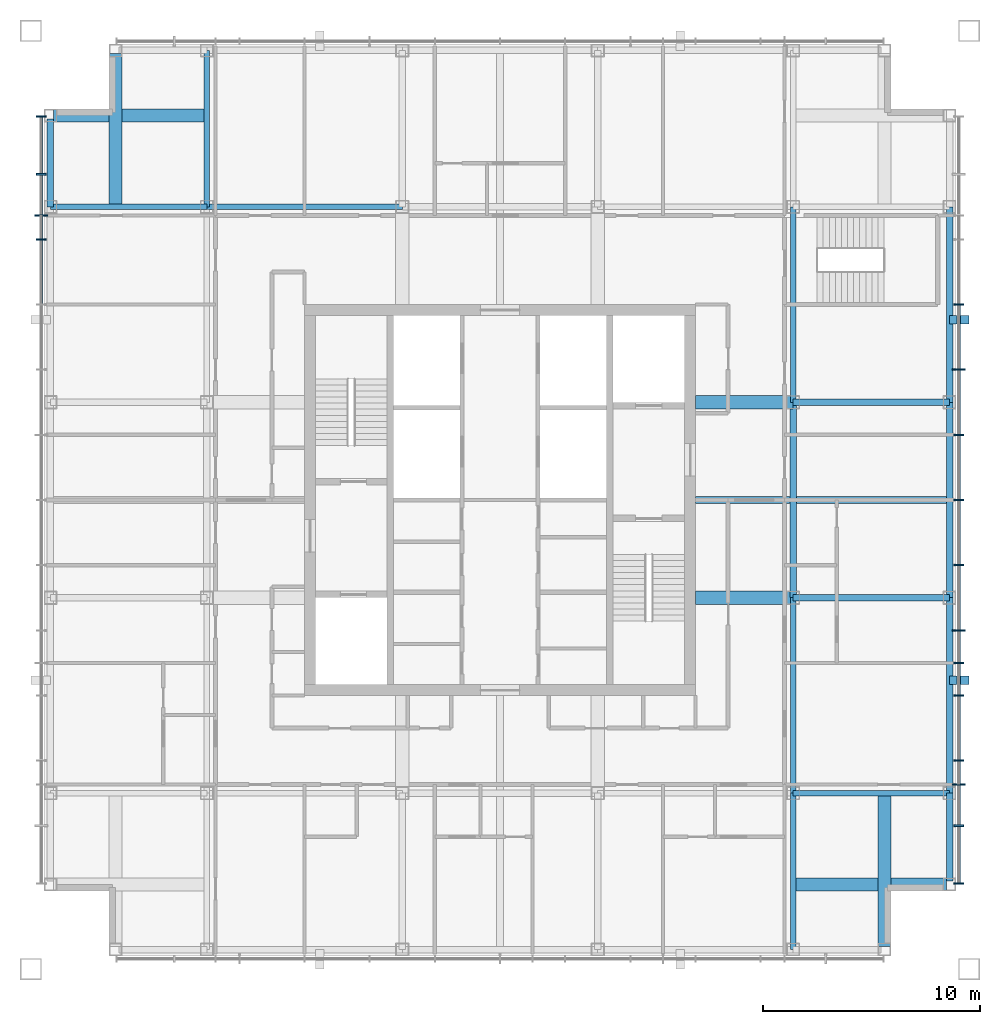
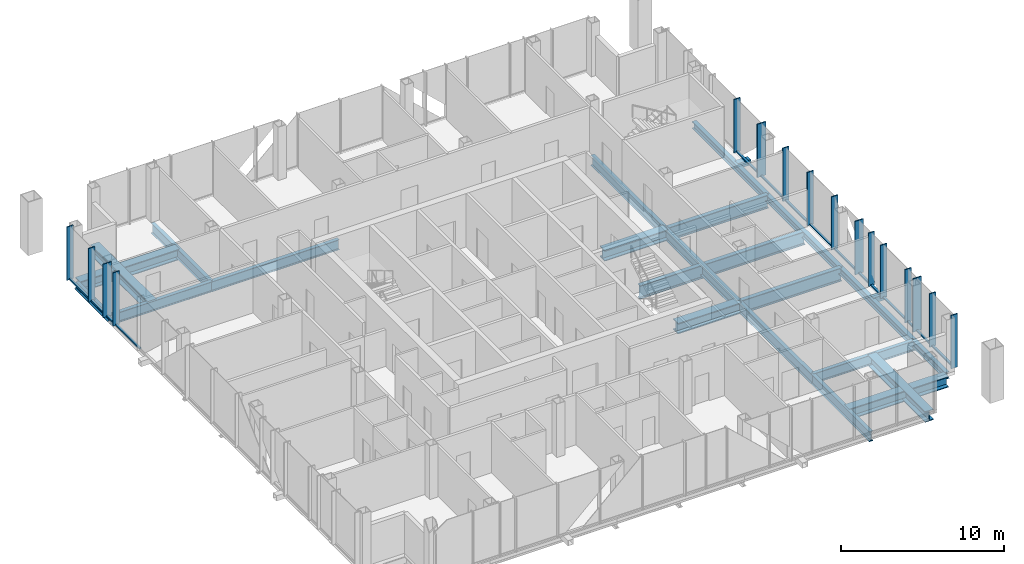
# One storey, part 4 of 12: 33 members, 22 beams, 2 elements without a shape of their own.
"""IFC4 building model written with IfcOpenShell, lengths in metres."""

from ifc_helpers import new_model, si_unit, direction, frame, origin, origin_2d, place, context, subcontext, project, spatial, rectangle, hollow_rectangle, i_section, extrude, material, layer, layer_set, material_profile, profile_set, type_object, element, aggregate, save


model = new_model("IFC4")

# Units and contexts
model_context = context("Model", 3, precision=1e-05, world=origin(), true_north=direction((0.0, 1.0)))
body_context = subcontext(model_context, "Body", "Model", "MODEL_VIEW")
ifc_project = project(units=[si_unit("LENGTHUNIT", "METRE"), si_unit("AREAUNIT", "SQUARE_METRE"), si_unit("VOLUMEUNIT", "CUBIC_METRE"), si_unit("PLANEANGLEUNIT", "RADIAN"), si_unit("MASSUNIT", "GRAM", prefix="KILO")], contexts=[model_context])

# Site, building, storey
site_placement = place(None, origin())
site = spatial("IfcSite", under=ifc_project, at=site_placement, CompositionType="ELEMENT")
building_placement = place(site_placement, origin())
building = spatial("IfcBuilding", under=site, at=building_placement, Name="Malebo Sky Hospital", CompositionType="ELEMENT")
storey_placement = place(building_placement, frame((0.0, 0.0, 262.0)))
storey = spatial("IfcBuildingStorey", under=building, at=storey_placement, Name="L63", CompositionType="ELEMENT", Elevation=262.0)

# Curtain wall, members
ifc_material_1 = material(Name="Anodised aluminium, natural silver", Category="aluminium")
ifc_layer = layer(ifc_material_1, 0.25)
ifc_layer_set = layer_set([ifc_layer], Name="WARD CURTAIN WALL EAST AND WEST")
curtain_wall_type = type_object("IfcCurtainWallType", Name="WARD CURTAIN WALL EAST AND WEST", PredefinedType="NOTDEFINED", material=ifc_layer_set)
curtain_wall_1_placement = place(storey_placement, origin())
curtain_wall_1 = element("IfcCurtainWall", 1, at=curtain_wall_1_placement, inside=storey, type_object=curtain_wall_type, Name="EW curtain wall W", PredefinedType="NOTDEFINED")
ifc_material_profile_1 = material_profile(ifc_material_1, rectangle(XDim=0.14990234375, YDim=0.10009765625, at=origin_2d()), Name="ALUMINIUM TRANSOM 150x100")
ifc_profile_set_1 = profile_set([ifc_material_profile_1], Name="Anodised aluminium, natural silver")
member_type_1 = type_object("IfcMemberType", Name="ALUMINIUM TRANSOM 150x100", PredefinedType="USERDEFINED", material=ifc_profile_set_1)
member_1_placement = place(storey_placement, frame((38.875, 71.03759765625, 0.050048828125), z_axis=(0.0, 1.0, 0.0), x_axis=(-1.0, 0.0, 0.0)))
member_1 = element("IfcMember", 2, at=member_1_placement, type_object=member_type_1, Name="Transom 12", ObjectType="TRANSOM", PredefinedType="USERDEFINED", context=body_context, shape_type="SweptSolid", body=[
    extrude(rectangle(XDim=0.14990234375, YDim=0.10009765625, at=origin_2d()), origin(), (0.0, 0.0, 1.0), 2.9248046875),
])
member_2_placement = place(storey_placement, frame((38.875, 74.03759765625, 0.050048828125), z_axis=(0.0, 1.0, 0.0), x_axis=(-1.0, 0.0, 0.0)))
member_2 = element("IfcMember", 3, at=member_2_placement, type_object=member_type_1, Name="Transom 13", ObjectType="TRANSOM", PredefinedType="USERDEFINED", context=body_context, shape_type="SweptSolid", body=[
    extrude(rectangle(XDim=0.14990234375, YDim=0.10009765625, at=origin_2d()), origin(), (0.0, 0.0, 1.0), 1.02490234375),
])
member_3_placement = place(storey_placement, frame((38.875, 75.137451171875, 0.050048828125), z_axis=(0.0, 1.0, 0.0), x_axis=(-1.0, 0.0, 0.0)))
member_3 = element("IfcMember", 4, at=member_3_placement, type_object=member_type_1, Name="Transom 14", ObjectType="TRANSOM", PredefinedType="USERDEFINED", context=body_context, shape_type="SweptSolid", body=[
    extrude(rectangle(XDim=0.14990234375, YDim=0.10009765625, at=origin_2d()), origin(), (0.0, 0.0, 1.0), 1.824951171875),
])
member_4_placement = place(storey_placement, frame((38.875, 77.03759765625, 0.050048828125), z_axis=(0.0, 1.0, 0.0), x_axis=(-1.0, 0.0, 0.0)))
member_4 = element("IfcMember", 5, at=member_4_placement, type_object=member_type_1, Name="Transom 15", ObjectType="TRANSOM", PredefinedType="USERDEFINED", context=body_context, shape_type="SweptSolid", body=[
    extrude(rectangle(XDim=0.14990234375, YDim=0.10009765625, at=origin_2d()), origin(), (0.0, 0.0, 1.0), 2.58740234375),
])

curtain_wall_2_placement = place(storey_placement, origin())
curtain_wall_2 = element("IfcCurtainWall", 6, at=curtain_wall_2_placement, inside=storey, type_object=curtain_wall_type, Name="EW curtain wall E", PredefinedType="NOTDEFINED")
member_5_placement = place(storey_placement, frame((81.125, 70.96240234375, 0.050048828125), z_axis=(0.0, -1.0, 0.0), x_axis=(1.0, 0.0, 0.0)))
member_5 = element("IfcMember", 7, at=member_5_placement, type_object=member_type_1, Name="Transom 5", ObjectType="TRANSOM", PredefinedType="USERDEFINED", context=body_context, shape_type="SweptSolid", body=[
    extrude(rectangle(XDim=0.14990234375, YDim=0.10009765625, at=origin_2d()), origin(), (0.0, 0.0, 1.0), 2.9248046875),
])
member_6_placement = place(storey_placement, frame((81.125, 67.96240234375, 0.050048828125), z_axis=(0.0, -1.0, 0.0), x_axis=(1.0, 0.0, 0.0)))
member_6 = element("IfcMember", 8, at=member_6_placement, type_object=member_type_1, Name="Transom 6", ObjectType="TRANSOM", PredefinedType="USERDEFINED", context=body_context, shape_type="SweptSolid", body=[
    extrude(rectangle(XDim=0.14990234375, YDim=0.10009765625, at=origin_2d()), origin(), (0.0, 0.0, 1.0), 2.9248046875),
])
member_7_placement = place(storey_placement, frame((81.125, 64.96240234375, 0.050048828125), z_axis=(0.0, -1.0, 0.0), x_axis=(1.0, 0.0, 0.0)))
member_7 = element("IfcMember", 9, at=member_7_placement, type_object=member_type_1, Name="Transom 7", ObjectType="TRANSOM", PredefinedType="USERDEFINED", context=body_context, shape_type="SweptSolid", body=[
    extrude(rectangle(XDim=0.14990234375, YDim=0.10009765625, at=origin_2d()), origin(), (0.0, 0.0, 1.0), 2.9248046875),
])
member_8_placement = place(storey_placement, frame((81.125, 61.96240234375, 0.050048828125), z_axis=(0.0, -1.0, 0.0), x_axis=(1.0, 0.0, 0.0)))
member_8 = element("IfcMember", 10, at=member_8_placement, type_object=member_type_1, Name="Transom 8", ObjectType="TRANSOM", PredefinedType="USERDEFINED", context=body_context, shape_type="SweptSolid", body=[
    extrude(rectangle(XDim=0.14990234375, YDim=0.10009765625, at=origin_2d()), origin(), (0.0, 0.0, 1.0), 2.9248046875),
])
member_9_placement = place(storey_placement, frame((81.125, 58.96240234375, 0.050048828125), z_axis=(0.0, -1.0, 0.0), x_axis=(1.0, 0.0, 0.0)))
member_9 = element("IfcMember", 11, at=member_9_placement, type_object=member_type_1, Name="Transom 9", ObjectType="TRANSOM", PredefinedType="USERDEFINED", context=body_context, shape_type="SweptSolid", body=[
    extrude(rectangle(XDim=0.14990234375, YDim=0.10009765625, at=origin_2d()), origin(), (0.0, 0.0, 1.0), 2.9248046875),
])
member_10_placement = place(storey_placement, frame((81.125, 55.96240234375, 0.050048828125), z_axis=(0.0, -1.0, 0.0), x_axis=(1.0, 0.0, 0.0)))
member_10 = element("IfcMember", 12, at=member_10_placement, type_object=member_type_1, Name="Transom 10", ObjectType="TRANSOM", PredefinedType="USERDEFINED", context=body_context, shape_type="SweptSolid", body=[
    extrude(rectangle(XDim=0.14990234375, YDim=0.10009765625, at=origin_2d()), origin(), (0.0, 0.0, 1.0), 1.4248046875),
])
member_11_placement = place(storey_placement, frame((81.125, 54.46240234375, 0.050048828125), z_axis=(0.0, -1.0, 0.0), x_axis=(1.0, 0.0, 0.0)))
member_11 = element("IfcMember", 13, at=member_11_placement, type_object=member_type_1, Name="Transom 11", ObjectType="TRANSOM", PredefinedType="USERDEFINED", context=body_context, shape_type="SweptSolid", body=[
    extrude(rectangle(XDim=0.14990234375, YDim=0.10009765625, at=origin_2d()), origin(), (0.0, 0.0, 1.0), 1.4248046875),
])
member_12_placement = place(storey_placement, frame((81.125, 52.96240234375, 0.050048828125), z_axis=(0.0, -1.0, 0.0), x_axis=(1.0, 0.0, 0.0)))
member_12 = element("IfcMember", 14, at=member_12_placement, type_object=member_type_1, Name="Transom 12", ObjectType="TRANSOM", PredefinedType="USERDEFINED", context=body_context, shape_type="SweptSolid", body=[
    extrude(rectangle(XDim=0.14990234375, YDim=0.10009765625, at=origin_2d()), origin(), (0.0, 0.0, 1.0), 2.9248046875),
])
member_13_placement = place(storey_placement, frame((81.125, 49.96240234375, 0.050048828125), z_axis=(0.0, -1.0, 0.0), x_axis=(1.0, 0.0, 0.0)))
member_13 = element("IfcMember", 15, at=member_13_placement, type_object=member_type_1, Name="Transom 13", ObjectType="TRANSOM", PredefinedType="USERDEFINED", context=body_context, shape_type="SweptSolid", body=[
    extrude(rectangle(XDim=0.14990234375, YDim=0.10009765625, at=origin_2d()), origin(), (0.0, 0.0, 1.0), 1.02490234375),
])
member_14_placement = place(storey_placement, frame((81.125, 48.862548828125, 0.050048828125), z_axis=(0.0, -1.0, 0.0), x_axis=(1.0, 0.0, 0.0)))
member_14 = element("IfcMember", 16, at=member_14_placement, type_object=member_type_1, Name="Transom 14", ObjectType="TRANSOM", PredefinedType="USERDEFINED", context=body_context, shape_type="SweptSolid", body=[
    extrude(rectangle(XDim=0.14990234375, YDim=0.10009765625, at=origin_2d()), origin(), (0.0, 0.0, 1.0), 1.824951171875),
])
member_15_placement = place(storey_placement, frame((81.125, 46.96240234375, 0.050048828125), z_axis=(0.0, -1.0, 0.0), x_axis=(1.0, 0.0, 0.0)))
member_15 = element("IfcMember", 17, at=member_15_placement, type_object=member_type_1, Name="Transom 15", ObjectType="TRANSOM", PredefinedType="USERDEFINED", context=body_context, shape_type="SweptSolid", body=[
    extrude(rectangle(XDim=0.14990234375, YDim=0.10009765625, at=origin_2d()), origin(), (0.0, 0.0, 1.0), 2.58740234375),
])

# Members
ifc_material_2 = material(Name="Steel S355", Category="steel")
ifc_material_profile_2 = material_profile(ifc_material_2, hollow_rectangle(XDim=0.39990234375, YDim=0.39990234375, WallThickness=0.02001953125, at=origin_2d()), Name="SHS 400x20")
ifc_profile_set_2 = profile_set([ifc_material_profile_2], Name="Steel S355")
member_type_2 = type_object("IfcMemberType", Name="BRACE STRUT SHS 400x20", PredefinedType="STRUT", material=ifc_profile_set_2)
for number, where, z_axis, x_axis, name in (
    (18, (81.60009765625, 53.696533203125, -0.39990234375), (-1.0, 0.0, 0.0), (0.0, -1.0, 0.0), "Brace strut DE1 L63"),
    (19, (81.60009765625, 70.303466796875, -0.39990234375), (-1.0, 0.0, 0.0), (0.0, -1.0, 0.0), "Brace strut DE2 L63"),
):
    element("IfcMember", number, at=place(storey_placement, frame(where, z_axis=z_axis, x_axis=x_axis)), inside=storey, type_object=member_type_2, Name=name, PredefinedType="STRUT", context=body_context, shape_type="SweptSolid", body=[
        extrude(hollow_rectangle(XDim=0.39990234375, YDim=0.39990234375, WallThickness=0.02001953125, at=origin_2d()), origin(), (0.0, 0.0, 1.0), 0.900146484375),
    ])

# Member
ifc_material_profile_3 = material_profile(ifc_material_1, rectangle(XDim=0.074951171875, YDim=0.449951171875, at=origin_2d()), Name="CW2 ALUMINIUM FIN MULLION 75x450")
ifc_profile_set_3 = profile_set([ifc_material_profile_3], Name="Anodised aluminium, natural silver")
member_type_3 = type_object("IfcMemberType", Name="CW2 ALUMINIUM FIN MULLION 75x450", PredefinedType="MULLION", material=ifc_profile_set_3)
member_16_placement = place(storey_placement, frame((38.875, 74.0, 0.0), z_axis=(0.0, 0.0, 1.0), x_axis=(0.0, 1.0, 0.0)))
member_16 = element("IfcMember", 20, at=member_16_placement, type_object=member_type_3, Name="Fin mullion 13", PredefinedType="MULLION", context=body_context, shape_type="SweptSolid", body=[
    extrude(rectangle(XDim=0.074951171875, YDim=0.449951171875, at=origin_2d()), origin(), (0.0, 0.0, 1.0), 4.0),
])

member_17_placement = place(storey_placement, frame((38.875, 77.0, 0.0), z_axis=(0.0, 0.0, 1.0), x_axis=(0.0, 1.0, 0.0)))
member_17 = element("IfcMember", 21, at=member_17_placement, type_object=member_type_3, Name="Fin mullion 15", PredefinedType="MULLION", context=body_context, shape_type="SweptSolid", body=[
    extrude(rectangle(XDim=0.074951171875, YDim=0.449951171875, at=origin_2d()), origin(), (0.0, 0.0, 1.0), 4.0),
])

member_18_placement = place(storey_placement, frame((38.875, 79.66259765625, 0.0), z_axis=(0.0, 0.0, 1.0), x_axis=(0.0, 1.0, 0.0)))
member_18 = element("IfcMember", 22, at=member_18_placement, type_object=member_type_3, Name="Fin mullion 16", PredefinedType="MULLION", context=body_context, shape_type="SweptSolid", body=[
    extrude(rectangle(XDim=0.074951171875, YDim=0.449951171875, at=origin_2d()), origin(), (0.0, 0.0, 1.0), 4.0),
])

member_19_placement = place(storey_placement, frame((81.125, 71.0, 0.0), z_axis=(0.0, 0.0, 1.0), x_axis=(0.0, -1.0, 0.0)))
member_19 = element("IfcMember", 23, at=member_19_placement, type_object=member_type_3, Name="Fin mullion 5", PredefinedType="MULLION", context=body_context, shape_type="SweptSolid", body=[
    extrude(rectangle(XDim=0.074951171875, YDim=0.449951171875, at=origin_2d()), origin(), (0.0, 0.0, 1.0), 4.0),
])

member_20_placement = place(storey_placement, frame((81.125, 65.0, 0.0), z_axis=(0.0, 0.0, 1.0), x_axis=(0.0, -1.0, 0.0)))
member_20 = element("IfcMember", 24, at=member_20_placement, type_object=member_type_3, Name="Fin mullion 7", PredefinedType="MULLION", context=body_context, shape_type="SweptSolid", body=[
    extrude(rectangle(XDim=0.074951171875, YDim=0.449951171875, at=origin_2d()), origin(), (0.0, 0.0, 1.0), 4.0),
])

member_21_placement = place(storey_placement, frame((81.125, 62.0, 0.0), z_axis=(0.0, 0.0, 1.0), x_axis=(0.0, -1.0, 0.0)))
member_21 = element("IfcMember", 25, at=member_21_placement, type_object=member_type_3, Name="Fin mullion 8", PredefinedType="MULLION", context=body_context, shape_type="SweptSolid", body=[
    extrude(rectangle(XDim=0.074951171875, YDim=0.449951171875, at=origin_2d()), origin(), (0.0, 0.0, 1.0), 4.0),
])

member_22_placement = place(storey_placement, frame((81.125, 59.0, 0.0), z_axis=(0.0, 0.0, 1.0), x_axis=(0.0, -1.0, 0.0)))
member_22 = element("IfcMember", 26, at=member_22_placement, type_object=member_type_3, Name="Fin mullion 9", PredefinedType="MULLION", context=body_context, shape_type="SweptSolid", body=[
    extrude(rectangle(XDim=0.074951171875, YDim=0.449951171875, at=origin_2d()), origin(), (0.0, 0.0, 1.0), 4.0),
])

member_23_placement = place(storey_placement, frame((81.125, 54.5, 0.0), z_axis=(0.0, 0.0, 1.0), x_axis=(0.0, -1.0, 0.0)))
member_23 = element("IfcMember", 27, at=member_23_placement, type_object=member_type_3, Name="Fin mullion 11", PredefinedType="MULLION", context=body_context, shape_type="SweptSolid", body=[
    extrude(rectangle(XDim=0.074951171875, YDim=0.449951171875, at=origin_2d()), origin(), (0.0, 0.0, 1.0), 4.0),
])

member_24_placement = place(storey_placement, frame((81.125, 53.0, 0.0), z_axis=(0.0, 0.0, 1.0), x_axis=(0.0, -1.0, 0.0)))
member_24 = element("IfcMember", 28, at=member_24_placement, type_object=member_type_3, Name="Fin mullion 12", PredefinedType="MULLION", context=body_context, shape_type="SweptSolid", body=[
    extrude(rectangle(XDim=0.074951171875, YDim=0.449951171875, at=origin_2d()), origin(), (0.0, 0.0, 1.0), 4.0),
])

member_25_placement = place(storey_placement, frame((81.125, 50.0, 0.0), z_axis=(0.0, 0.0, 1.0), x_axis=(0.0, -1.0, 0.0)))
member_25 = element("IfcMember", 29, at=member_25_placement, type_object=member_type_3, Name="Fin mullion 13", PredefinedType="MULLION", context=body_context, shape_type="SweptSolid", body=[
    extrude(rectangle(XDim=0.074951171875, YDim=0.449951171875, at=origin_2d()), origin(), (0.0, 0.0, 1.0), 4.0),
])

member_26_placement = place(storey_placement, frame((81.125, 47.0, 0.0), z_axis=(0.0, 0.0, 1.0), x_axis=(0.0, -1.0, 0.0)))
member_26 = element("IfcMember", 30, at=member_26_placement, type_object=member_type_3, Name="Fin mullion 15", PredefinedType="MULLION", context=body_context, shape_type="SweptSolid", body=[
    extrude(rectangle(XDim=0.074951171875, YDim=0.449951171875, at=origin_2d()), origin(), (0.0, 0.0, 1.0), 4.0),
])

member_27_placement = place(storey_placement, frame((81.125, 44.33740234375, 0.0), z_axis=(0.0, 0.0, 1.0), x_axis=(0.0, -1.0, 0.0)))
member_27 = element("IfcMember", 31, at=member_27_placement, type_object=member_type_3, Name="Fin mullion 16", PredefinedType="MULLION", context=body_context, shape_type="SweptSolid", body=[
    extrude(rectangle(XDim=0.074951171875, YDim=0.449951171875, at=origin_2d()), origin(), (0.0, 0.0, 1.0), 4.0),
])

ifc_material_profile_4 = material_profile(ifc_material_1, rectangle(XDim=0.074951171875, YDim=0.60009765625, at=origin_2d()), Name="CW2 ALUMINIUM FIN MULLION 75x600")
ifc_profile_set_4 = profile_set([ifc_material_profile_4], Name="Anodised aluminium, natural silver")
member_type_4 = type_object("IfcMemberType", Name="CW2 ALUMINIUM FIN MULLION 75x600", PredefinedType="MULLION", material=ifc_profile_set_4)
member_28_placement = place(storey_placement, frame((38.875, 75.10009765625, 0.0), z_axis=(0.0, 0.0, 1.0), x_axis=(0.0, 1.0, 0.0)))
member_28 = element("IfcMember", 32, at=member_28_placement, type_object=member_type_4, Name="Fin mullion 14", PredefinedType="MULLION", context=body_context, shape_type="SweptSolid", body=[
    extrude(rectangle(XDim=0.074951171875, YDim=0.60009765625, at=origin_2d()), origin(), (0.0, 0.0, 1.0), 4.0),
])

aggregate(curtain_wall_1, [member_16, member_28, member_17, member_18, member_1, member_2, member_3, member_4])

member_29_placement = place(storey_placement, frame((81.125, 68.0, 0.0), z_axis=(0.0, 0.0, 1.0), x_axis=(0.0, -1.0, 0.0)))
member_29 = element("IfcMember", 33, at=member_29_placement, type_object=member_type_4, Name="Fin mullion 6", PredefinedType="MULLION", context=body_context, shape_type="SweptSolid", body=[
    extrude(rectangle(XDim=0.074951171875, YDim=0.60009765625, at=origin_2d()), origin(), (0.0, 0.0, 1.0), 4.0),
])

member_30_placement = place(storey_placement, frame((81.125, 56.0, 0.0), z_axis=(0.0, 0.0, 1.0), x_axis=(0.0, -1.0, 0.0)))
member_30 = element("IfcMember", 34, at=member_30_placement, type_object=member_type_4, Name="Fin mullion 10", PredefinedType="MULLION", context=body_context, shape_type="SweptSolid", body=[
    extrude(rectangle(XDim=0.074951171875, YDim=0.60009765625, at=origin_2d()), origin(), (0.0, 0.0, 1.0), 4.0),
])

member_31_placement = place(storey_placement, frame((81.125, 48.89990234375, 0.0), z_axis=(0.0, 0.0, 1.0), x_axis=(0.0, -1.0, 0.0)))
member_31 = element("IfcMember", 35, at=member_31_placement, type_object=member_type_4, Name="Fin mullion 14", PredefinedType="MULLION", context=body_context, shape_type="SweptSolid", body=[
    extrude(rectangle(XDim=0.074951171875, YDim=0.60009765625, at=origin_2d()), origin(), (0.0, 0.0, 1.0), 4.0),
])

aggregate(curtain_wall_2, [member_19, member_29, member_20, member_21, member_22, member_30, member_23, member_24, member_25, member_31, member_26, member_27, member_5, member_6, member_7, member_8, member_9, member_10, member_11, member_12, member_13, member_14, member_15])

# Beams
ifc_material_profile_5 = material_profile(ifc_material_2, i_section(OverallWidth=0.305908203125, OverallDepth=0.52392578125, WebThickness=0.02099609375, FlangeThickness=0.0400390625, FilletRadius=0.027099609375, at=origin_2d()), Name="HEM 500")
ifc_profile_set_5 = profile_set([ifc_material_profile_5], Name="Steel S355")
beam_type_1 = type_object("IfcBeamType", Name="EDGE BEAM HEM 500", PredefinedType="BEAM", material=ifc_profile_set_5)
for number, where, z_axis, x_axis, name in (
    (36, (39.300048828125, 75.5, -0.511962890625), (0.0, 1.0, 0.0), (-1.0, 0.0, 0.0), "Beam 004 L63"),
    (37, (80.699951171875, 44.449951171875, -0.511962890625), (0.0, 1.0, 0.0), (-1.0, 0.0, 0.0), "Beam 029 L63"),
):
    element("IfcBeam", number, at=place(storey_placement, frame(where, z_axis=z_axis, x_axis=x_axis)), inside=storey, type_object=beam_type_1, Name=name, PredefinedType="BEAM", context=body_context, shape_type="SweptSolid", body=[
        extrude(i_section(OverallWidth=0.305908203125, OverallDepth=0.52392578125, WebThickness=0.02099609375, FlangeThickness=0.0400390625, FilletRadius=0.027099609375, at=origin_2d()), origin(), (0.0, 0.0, 1.0), 4.050048828125),
    ])
for number, where, z_axis, x_axis, name in (
    (38, (80.699951171875, 48.5, -0.511962890625), (0.0, 1.0, 0.0), (-1.0, 0.0, 0.0), "Beam 030 L63"),
    (39, (80.699951171875, 57.5, -0.511962890625), (0.0, 1.0, 0.0), (-1.0, 0.0, 0.0), "Beam 031 L63"),
    (40, (80.699951171875, 66.5, -0.511962890625), (0.0, 1.0, 0.0), (-1.0, 0.0, 0.0), "Beam 032 L63"),
):
    element("IfcBeam", number, at=place(storey_placement, frame(where, z_axis=z_axis, x_axis=x_axis)), inside=storey, type_object=beam_type_1, Name=name, PredefinedType="BEAM", context=body_context, shape_type="SweptSolid", body=[
        extrude(i_section(OverallWidth=0.305908203125, OverallDepth=0.52392578125, WebThickness=0.02099609375, FlangeThickness=0.0400390625, FilletRadius=0.027099609375, at=origin_2d()), origin(), (0.0, 0.0, 1.0), 9.0),
    ])
ifc_material_profile_6 = material_profile(ifc_material_2, i_section(OverallWidth=0.300048828125, OverallDepth=1.0, WebThickness=0.01904296875, FlangeThickness=0.035888671875, FilletRadius=0.030029296875, at=origin_2d()), Name="HEB 1000")
ifc_profile_set_6 = profile_set([ifc_material_profile_6], Name="Steel S355")
beam_type_2 = type_object("IfcBeamType", Name="FLOOR BEAM HEB 1000", PredefinedType="BEAM", material=ifc_profile_set_6)
beam_1_placement = place(storey_placement, frame((73.5, 57.5, -0.75), z_axis=(1.0, 0.0, 0.0), x_axis=(0.0, 1.0, 0.0)))
element("IfcBeam", 41, at=beam_1_placement, inside=storey, type_object=beam_type_2, Name="Beam 049 L63", PredefinedType="BEAM", context=body_context, shape_type="SweptSolid", body=[
    extrude(i_section(OverallWidth=0.300048828125, OverallDepth=1.0, WebThickness=0.01904296875, FlangeThickness=0.035888671875, FilletRadius=0.030029296875, at=origin_2d()), origin(), (0.0, 0.0, 1.0), 7.199951171875),
])
beam_2_placement = place(storey_placement, frame((69.0, 62.0, -0.75), z_axis=(1.0, 0.0, 0.0), x_axis=(0.0, 1.0, 0.0)))
element("IfcBeam", 42, at=beam_2_placement, inside=storey, type_object=beam_type_2, Name="Beam 051 L63", PredefinedType="BEAM", context=body_context, shape_type="SweptSolid", body=[
    extrude(i_section(OverallWidth=0.300048828125, OverallDepth=1.0, WebThickness=0.01904296875, FlangeThickness=0.035888671875, FilletRadius=0.030029296875, at=origin_2d()), origin(), (0.0, 0.0, 1.0), 11.699951171875),
])
beam_3_placement = place(storey_placement, frame((73.5, 66.5, -0.75), z_axis=(1.0, 0.0, 0.0), x_axis=(0.0, 1.0, 0.0)))
element("IfcBeam", 43, at=beam_3_placement, inside=storey, type_object=beam_type_2, Name="Beam 055 L63", PredefinedType="BEAM", context=body_context, shape_type="SweptSolid", body=[
    extrude(i_section(OverallWidth=0.300048828125, OverallDepth=1.0, WebThickness=0.01904296875, FlangeThickness=0.035888671875, FilletRadius=0.030029296875, at=origin_2d()), origin(), (0.0, 0.0, 1.0), 7.199951171875),
])
ifc_material_profile_7 = material_profile(ifc_material_2, i_section(OverallWidth=0.26708984375, OverallDepth=0.761962890625, WebThickness=0.014404296875, FlangeThickness=0.021484375, FilletRadius=0.01708984375, at=origin_2d()), Name="IPE 750x173")
ifc_profile_set_7 = profile_set([ifc_material_profile_7], Name="Steel S355")
beam_type_3 = type_object("IfcBeamType", Name="FLOOR BEAM IPE 750x173", PredefinedType="BEAM", material=ifc_profile_set_7)
for number, where, z_axis, x_axis, name in (
    (44, (73.5, 48.5, -0.631103515625), (0.0, 1.0, 0.0), (-1.0, 0.0, 0.0), "Beam 023 L63"),
    (45, (73.5, 66.5, -0.631103515625), (0.0, 1.0, 0.0), (-1.0, 0.0, 0.0), "Beam 025 L63"),
    (46, (46.5, 75.5, -0.631103515625), (1.0, 0.0, 0.0), (0.0, 1.0, 0.0), "Beam 057 L63"),
):
    element("IfcBeam", number, at=place(storey_placement, frame(where, z_axis=z_axis, x_axis=x_axis)), inside=storey, type_object=beam_type_3, Name=name, PredefinedType="BEAM", context=body_context, shape_type="SweptSolid", body=[
        extrude(i_section(OverallWidth=0.26708984375, OverallDepth=0.761962890625, WebThickness=0.014404296875, FlangeThickness=0.021484375, FilletRadius=0.01708984375, at=origin_2d()), origin(), (0.0, 0.0, 1.0), 9.0),
    ])
ifc_material_profile_8 = material_profile(ifc_material_2, i_section(OverallWidth=0.60009765625, OverallDepth=0.800048828125, WebThickness=0.0400390625, FlangeThickness=0.06005859375, at=origin_2d()), Name="PG 800x600x40x60")
ifc_profile_set_8 = profile_set([ifc_material_profile_8], Name="Steel S355")
beam_type_4 = type_object("IfcBeamType", Name="FLOOR BEAM PG 800x600x40x60", PredefinedType="BEAM", material=ifc_profile_set_8)
for number, where, z_axis, x_axis, name in (
    (47, (42.300048828125, 75.5, -0.64990234375), (0.0, 1.0, 0.0), (-1.0, 0.0, 0.0), "Beam 006 L63"),
    (48, (77.699951171875, 41.449951171875, -0.64990234375), (0.0, 1.0, 0.0), (-1.0, 0.0, 0.0), "Beam 027 L63"),
    (49, (73.5, 44.300048828125, -0.64990234375), (1.0, 0.0, 0.0), (0.0, 1.0, 0.0), "Beam 040 L63"),
):
    element("IfcBeam", number, at=place(storey_placement, frame(where, z_axis=z_axis, x_axis=x_axis)), inside=storey, type_object=beam_type_4, Name=name, PredefinedType="BEAM", context=body_context, shape_type="SweptSolid", body=[
        extrude(i_section(OverallWidth=0.60009765625, OverallDepth=0.800048828125, WebThickness=0.0400390625, FlangeThickness=0.06005859375, at=origin_2d()), origin(), (0.0, 0.0, 1.0), 7.050048828125),
    ])
for number, where, z_axis, x_axis, name in (
    (50, (69.0, 57.5, -0.64990234375), (1.0, 0.0, 0.0), (0.0, 1.0, 0.0), "Beam 048 L63"),
    (51, (69.0, 66.5, -0.64990234375), (1.0, 0.0, 0.0), (0.0, 1.0, 0.0), "Beam 054 L63"),
):
    element("IfcBeam", number, at=place(storey_placement, frame(where, z_axis=z_axis, x_axis=x_axis)), inside=storey, type_object=beam_type_4, Name=name, PredefinedType="BEAM", context=body_context, shape_type="SweptSolid", body=[
        extrude(i_section(OverallWidth=0.60009765625, OverallDepth=0.800048828125, WebThickness=0.0400390625, FlangeThickness=0.06005859375, at=origin_2d()), origin(), (0.0, 0.0, 1.0), 4.5),
    ])
beam_4_placement = place(storey_placement, frame((39.449951171875, 79.699951171875, -0.64990234375), z_axis=(1.0, 0.0, 0.0), x_axis=(0.0, 1.0, 0.0)))
element("IfcBeam", 52, at=beam_4_placement, inside=storey, type_object=beam_type_4, Name="Beam 061 L63", PredefinedType="BEAM", context=body_context, shape_type="SweptSolid", body=[
    extrude(i_section(OverallWidth=0.60009765625, OverallDepth=0.800048828125, WebThickness=0.0400390625, FlangeThickness=0.06005859375, at=origin_2d()), origin(), (0.0, 0.0, 1.0), 7.050048828125),
])
ifc_material_profile_9 = material_profile(ifc_material_2, i_section(OverallWidth=0.262939453125, OverallDepth=0.7529296875, WebThickness=0.011474609375, FlangeThickness=0.01708984375, FilletRadius=0.01708984375, at=origin_2d()), Name="IPE 750x137")
ifc_profile_set_9 = profile_set([ifc_material_profile_9], Name="Steel S355")
beam_type_5 = type_object("IfcBeamType", Name="FLOOR GIRDER IPE 750x137", PredefinedType="BEAM", material=ifc_profile_set_9)
for number, where, z_axis, x_axis, name in (
    (53, (46.5, 75.5, -0.62646484375), (0.0, 1.0, 0.0), (-1.0, 0.0, 0.0), "Beam 011 L63"),
    (54, (73.5, 41.300048828125, -0.62646484375), (0.0, 1.0, 0.0), (-1.0, 0.0, 0.0), "Beam 022 L63"),
    (55, (73.5, 48.5, -0.62646484375), (1.0, 0.0, 0.0), (0.0, 1.0, 0.0), "Beam 045 L63"),
    (56, (39.300048828125, 75.5, -0.62646484375), (1.0, 0.0, 0.0), (0.0, 1.0, 0.0), "Beam 056 L63"),
):
    element("IfcBeam", number, at=place(storey_placement, frame(where, z_axis=z_axis, x_axis=x_axis)), inside=storey, type_object=beam_type_5, Name=name, PredefinedType="BEAM", context=body_context, shape_type="SweptSolid", body=[
        extrude(i_section(OverallWidth=0.262939453125, OverallDepth=0.7529296875, WebThickness=0.011474609375, FlangeThickness=0.01708984375, FilletRadius=0.01708984375, at=origin_2d()), origin(), (0.0, 0.0, 1.0), 7.199951171875),
    ])
ifc_material_profile_10 = material_profile(ifc_material_2, i_section(OverallWidth=0.300048828125, OverallDepth=0.800048828125, WebThickness=0.017578125, FlangeThickness=0.032958984375, FilletRadius=0.030029296875, at=origin_2d()), Name="HEB 800")
ifc_profile_set_10 = profile_set([ifc_material_profile_10], Name="Steel S355")
beam_type_6 = type_object("IfcBeamType", Name="RING GIRDER HEB 800", PredefinedType="BEAM", material=ifc_profile_set_10)
beam_5_placement = place(storey_placement, frame((73.5, 57.5, -0.64990234375), z_axis=(0.0, 1.0, 0.0), x_axis=(-1.0, 0.0, 0.0)))
element("IfcBeam", 57, at=beam_5_placement, inside=storey, type_object=beam_type_6, Name="Beam 024 L63", PredefinedType="BEAM", context=body_context, shape_type="SweptSolid", body=[
    extrude(i_section(OverallWidth=0.300048828125, OverallDepth=0.800048828125, WebThickness=0.017578125, FlangeThickness=0.032958984375, FilletRadius=0.030029296875, at=origin_2d()), origin(), (0.0, 0.0, 1.0), 9.0),
])

save(model, "model.ifc")
